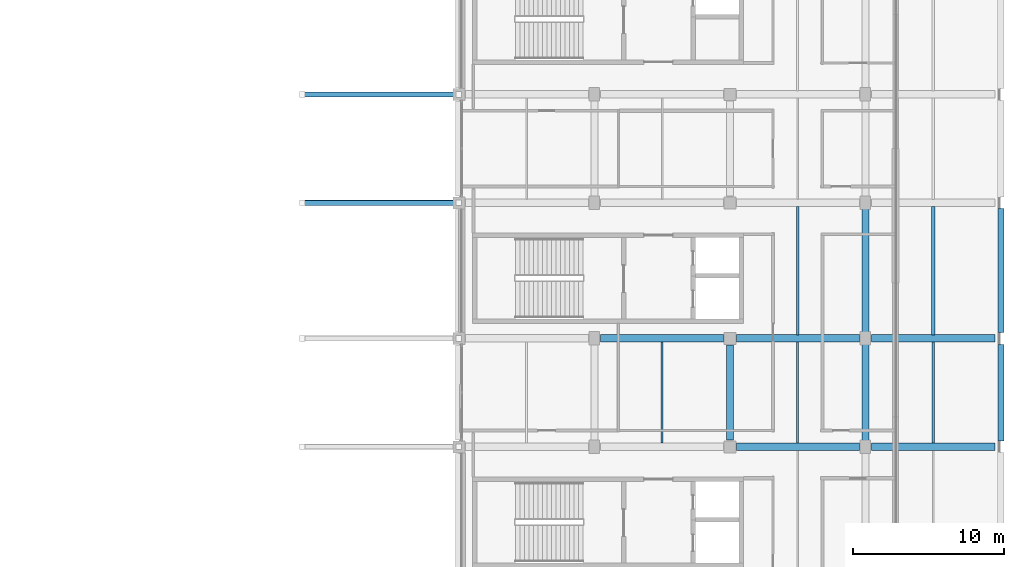
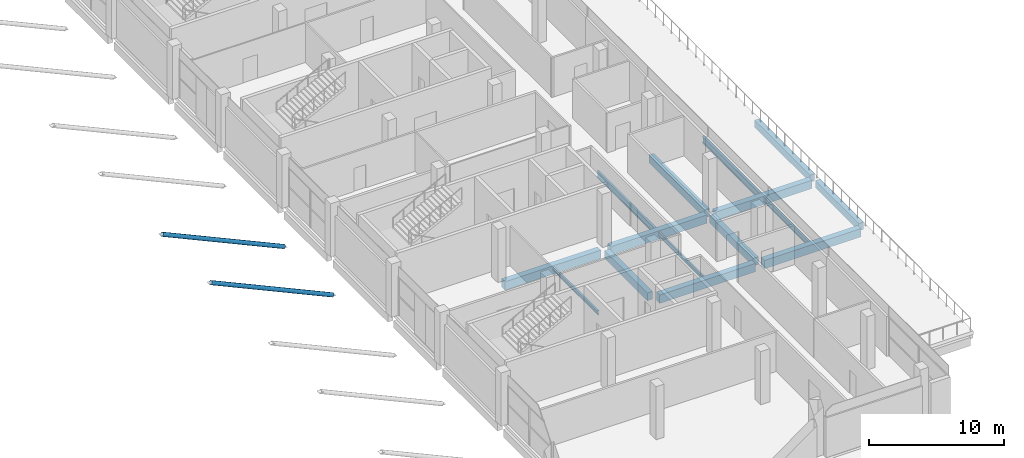
# One storey, part 27 of 82: 15 beams, 2 members.
"""IFC4 building model written with IfcOpenShell, lengths in metres."""

from ifc_helpers import new_model, si_unit, direction, frame, origin, origin_2d, place, context, subcontext, project, spatial, rectangle, hollow_circle, i_section, extrude, material, material_profile, profile_set, type_object, element, save


model = new_model("IFC4")

# Units and contexts
model_context = context("Model", 3, precision=1e-05, world=origin(), true_north=direction((0.0, 1.0)))
body_context = subcontext(model_context, "Body", "Model", "MODEL_VIEW")
ifc_project = project(units=[si_unit("LENGTHUNIT", "METRE"), si_unit("AREAUNIT", "SQUARE_METRE"), si_unit("VOLUMEUNIT", "CUBIC_METRE"), si_unit("PLANEANGLEUNIT", "RADIAN"), si_unit("MASSUNIT", "GRAM", prefix="KILO"), si_unit("THERMODYNAMICTEMPERATUREUNIT", "KELVIN"), si_unit("POWERUNIT", "WATT")], contexts=[model_context])

# Site, building, storey
site_placement = place(None, origin())
site = spatial("IfcSite", under=ifc_project, at=site_placement, CompositionType="ELEMENT")
building_placement = place(site_placement, origin())
building = spatial("IfcBuilding", under=site, at=building_placement, Name="Sindhuravela Promenade Stadium", CompositionType="ELEMENT")
storey_placement = place(building_placement, frame((0.0, 0.0, 14.39990234375)))
storey = spatial("IfcBuildingStorey", under=building, at=storey_placement, Name="L03", CompositionType="ELEMENT", Elevation=14.39990234375)

# Beams
ifc_material_1 = material(Name="Concrete M40", Category="concrete")
ifc_material_profile_1 = material_profile(ifc_material_1, rectangle(XDim=0.39990234375, YDim=0.64990234375, at=origin_2d()), Name="RC 400x650")
ifc_profile_set_1 = profile_set([ifc_material_profile_1], Name="Concrete M40")
beam_type_1 = type_object("IfcBeamType", Name="RC-BM-400x650", PredefinedType="SPANDREL", material=ifc_profile_set_1)
beam_1_placement = place(storey_placement, frame((216.0, 61.590087890625, -0.635009765625), z_axis=(0.0, 1.0, 0.0), x_axis=(-1.0, 0.0, 0.0)))
element("IfcBeam", 1, at=beam_1_placement, inside=storey, type_object=beam_type_1, Name="Primary beam SP01 EAST L03", PredefinedType="SPANDREL", context=body_context, shape_type="SweptSolid", body=[
    extrude(rectangle(XDim=0.39990234375, YDim=0.64990234375, at=origin_2d()), origin(), (0.0, 0.0, 1.0), 6.419921875),
])
beam_2_placement = place(storey_placement, frame((216.0, 68.7900390625, -0.635009765625), z_axis=(0.0, 1.0, 0.0), x_axis=(-1.0, 0.0, 0.0)))
element("IfcBeam", 2, at=beam_2_placement, inside=storey, type_object=beam_type_1, Name="Primary beam SP01 EAST L03", PredefinedType="SPANDREL", context=body_context, shape_type="SweptSolid", body=[
    extrude(rectangle(XDim=0.39990234375, YDim=0.64990234375, at=origin_2d()), origin(), (0.0, 0.0, 1.0), 8.219970703125),
])
ifc_material_profile_2 = material_profile(ifc_material_1, rectangle(XDim=0.449951171875, YDim=0.699951171875, at=origin_2d()), Name="RC 450x700")
ifc_profile_set_2 = profile_set([ifc_material_profile_2], Name="Concrete M40")
beam_type_2 = type_object("IfcBeamType", Name="RC-BM-450x700", PredefinedType="BEAM", material=ifc_profile_set_2)
beam_3_placement = place(storey_placement, frame((198.0, 61.639892578125, -0.64990234375), z_axis=(0.0, 1.0, 0.0), x_axis=(-1.0, 0.0, 0.0)))
element("IfcBeam", 3, at=beam_3_placement, inside=storey, type_object=beam_type_2, Name="Primary beam GB07 EAST L03", PredefinedType="BEAM", context=body_context, shape_type="SweptSolid", body=[
    extrude(rectangle(XDim=0.449951171875, YDim=0.699951171875, at=origin_2d()), origin(), (0.0, 0.0, 1.0), 6.320068359375),
])
beam_4_placement = place(storey_placement, frame((207.0, 61.590087890625, -0.64990234375), z_axis=(0.0, 1.0, 0.0), x_axis=(-1.0, 0.0, 0.0)))
element("IfcBeam", 4, at=beam_4_placement, inside=storey, type_object=beam_type_2, Name="Primary beam GB07 EAST L03", PredefinedType="BEAM", context=body_context, shape_type="SweptSolid", body=[
    extrude(rectangle(XDim=0.449951171875, YDim=0.699951171875, at=origin_2d()), origin(), (0.0, 0.0, 1.0), 6.419921875),
])
beam_5_placement = place(storey_placement, frame((207.0, 68.7900390625, -0.64990234375), z_axis=(0.0, 1.0, 0.0), x_axis=(-1.0, 0.0, 0.0)))
element("IfcBeam", 5, at=beam_5_placement, inside=storey, type_object=beam_type_2, Name="Primary beam GB07 EAST L03", PredefinedType="BEAM", context=body_context, shape_type="SweptSolid", body=[
    extrude(rectangle(XDim=0.449951171875, YDim=0.699951171875, at=origin_2d()), origin(), (0.0, 0.0, 1.0), 8.219970703125),
])
ifc_material_profile_3 = material_profile(ifc_material_1, rectangle(XDim=0.5, YDim=0.75, at=origin_2d()), Name="RC 500x750")
ifc_profile_set_3 = profile_set([ifc_material_profile_3], Name="Concrete M40")
beam_type_3 = type_object("IfcBeamType", Name="RC-BM-500x750", PredefinedType="BEAM", material=ifc_profile_set_3)
beam_6_placement = place(storey_placement, frame((198.43994140625, 61.199951171875, -0.6748046875), z_axis=(1.0, 0.0, 0.0), x_axis=(0.0, 1.0, 0.0)))
element("IfcBeam", 6, at=beam_6_placement, inside=storey, type_object=beam_type_3, Name="Primary girder GB06 EAST L03", PredefinedType="BEAM", context=body_context, shape_type="SweptSolid", body=[
    extrude(rectangle(XDim=0.5, YDim=0.75, at=origin_2d()), origin(), (0.0, 0.0, 1.0), 8.170166015625),
])
beam_7_placement = place(storey_placement, frame((207.389892578125, 61.199951171875, -0.684814453125), z_axis=(1.0, 0.0, 0.0), x_axis=(0.0, 1.0, 0.0)))
element("IfcBeam", 7, at=beam_7_placement, inside=storey, type_object=beam_type_3, Name="Primary girder GB06 EAST L03", PredefinedType="BEAM", context=body_context, shape_type="SweptSolid", body=[
    extrude(rectangle(XDim=0.5, YDim=0.75, at=origin_2d()), origin(), (0.0, 0.0, 1.0), 8.22021484375),
])
for number, where, z_axis, x_axis, name in (
    (8, (189.389892578125, 68.39990234375, -0.6748046875), (1.0, 0.0, 0.0), (0.0, 1.0, 0.0), "Primary girder GB06 EAST L03"),
    (9, (198.43994140625, 68.39990234375, -0.6748046875), (1.0, 0.0, 0.0), (0.0, 1.0, 0.0), "Primary girder GB06 EAST L03"),
):
    element("IfcBeam", number, at=place(storey_placement, frame(where, z_axis=z_axis, x_axis=x_axis)), inside=storey, type_object=beam_type_3, Name=name, PredefinedType="BEAM", context=body_context, shape_type="SweptSolid", body=[
        extrude(rectangle(XDim=0.5, YDim=0.75, at=origin_2d()), origin(), (0.0, 0.0, 1.0), 8.170166015625),
    ])
beam_8_placement = place(storey_placement, frame((207.389892578125, 68.39990234375, -0.684814453125), z_axis=(1.0, 0.0, 0.0), x_axis=(0.0, 1.0, 0.0)))
element("IfcBeam", 10, at=beam_8_placement, inside=storey, type_object=beam_type_3, Name="Primary girder GB06 EAST L03", PredefinedType="BEAM", context=body_context, shape_type="SweptSolid", body=[
    extrude(rectangle(XDim=0.5, YDim=0.75, at=origin_2d()), origin(), (0.0, 0.0, 1.0), 8.22021484375),
])
ifc_material_2 = material(Name="Steel E350 (IS 2062 E350BR)", Category="steel")
ifc_material_profile_4 = material_profile(ifc_material_2, i_section(OverallWidth=0.139892578125, OverallDepth=0.35009765625, WebThickness=0.008056640625, FlangeThickness=0.01416015625, FilletRadius=0.013916015625, at=origin_2d()), Name="ISMB 350")
ifc_profile_set_4 = profile_set([ifc_material_profile_4], Name="Steel E350 (IS 2062 E350BR)")
beam_type_4 = type_object("IfcBeamType", Name="ST-BM-MB350", PredefinedType="JOIST", material=ifc_profile_set_4)
beam_9_placement = place(storey_placement, frame((193.5, 61.43994140625, -0.474853515625), z_axis=(0.0, 1.0, 0.0), x_axis=(-1.0, 0.0, 0.0)))
element("IfcBeam", 11, at=beam_9_placement, inside=storey, type_object=beam_type_4, Name="Secondary floor joist SB04 EAST L03", PredefinedType="JOIST", context=body_context, shape_type="SweptSolid", body=[
    extrude(i_section(OverallWidth=0.139892578125, OverallDepth=0.35009765625, WebThickness=0.008056640625, FlangeThickness=0.01416015625, FilletRadius=0.013916015625, at=origin_2d()), origin(), (0.0, 0.0, 1.0), 6.719970703125),
])
ifc_material_profile_5 = material_profile(ifc_material_2, i_section(OverallWidth=0.139892578125, OverallDepth=0.39990234375, WebThickness=0.0087890625, FlangeThickness=0.01611328125, FilletRadius=0.013916015625, at=origin_2d()), Name="ISMB 400")
ifc_profile_set_5 = profile_set([ifc_material_profile_5], Name="Steel E350 (IS 2062 E350BR)")
beam_type_5 = type_object("IfcBeamType", Name="ST-BM-MB400", PredefinedType="BEAM", material=ifc_profile_set_5)
beam_10_placement = place(storey_placement, frame((202.5, 61.43994140625, -0.5), z_axis=(0.0, 1.0, 0.0), x_axis=(-1.0, 0.0, 0.0)))
element("IfcBeam", 12, at=beam_10_placement, inside=storey, type_object=beam_type_5, Name="Secondary floor joist SB05 EAST L03", PredefinedType="BEAM", context=body_context, shape_type="SweptSolid", body=[
    extrude(i_section(OverallWidth=0.139892578125, OverallDepth=0.39990234375, WebThickness=0.0087890625, FlangeThickness=0.01611328125, FilletRadius=0.013916015625, at=origin_2d()), origin(), (0.0, 0.0, 1.0), 6.719970703125),
])
ifc_material_profile_6 = material_profile(ifc_material_2, i_section(OverallWidth=0.14990234375, OverallDepth=0.449951171875, WebThickness=0.009521484375, FlangeThickness=0.017333984375, FilletRadius=0.014892578125, at=origin_2d()), Name="ISMB 450")
ifc_profile_set_6 = profile_set([ifc_material_profile_6], Name="Steel E350 (IS 2062 E350BR)")
beam_type_6 = type_object("IfcBeamType", Name="ST-BM-MB450", PredefinedType="BEAM", material=ifc_profile_set_6)
beam_11_placement = place(storey_placement, frame((211.5, 61.43994140625, -0.534912109375), z_axis=(0.0, 1.0, 0.0), x_axis=(-1.0, 0.0, 0.0)))
element("IfcBeam", 13, at=beam_11_placement, inside=storey, type_object=beam_type_6, Name="Secondary floor joist SB06 EAST L03", PredefinedType="BEAM", context=body_context, shape_type="SweptSolid", body=[
    extrude(i_section(OverallWidth=0.14990234375, OverallDepth=0.449951171875, WebThickness=0.009521484375, FlangeThickness=0.017333984375, FilletRadius=0.014892578125, at=origin_2d()), origin(), (0.0, 0.0, 1.0), 6.719970703125),
])
ifc_material_profile_7 = material_profile(ifc_material_2, i_section(OverallWidth=0.18994140625, OverallDepth=0.550048828125, WebThickness=0.01123046875, FlangeThickness=0.019287109375, FilletRadius=0.01806640625, at=origin_2d()), Name="ISMB 550")
ifc_profile_set_7 = profile_set([ifc_material_profile_7], Name="Steel E350 (IS 2062 E350BR)")
beam_type_7 = type_object("IfcBeamType", Name="ST-BM-MB550", PredefinedType="SPANDREL", material=ifc_profile_set_7)
beam_12_placement = place(storey_placement, frame((202.5, 68.639892578125, -0.574951171875), z_axis=(0.0, 1.0, 0.0), x_axis=(-1.0, 0.0, 0.0)))
element("IfcBeam", 14, at=beam_12_placement, inside=storey, type_object=beam_type_7, Name="Secondary floor joist SB08 EAST L03", PredefinedType="SPANDREL", context=body_context, shape_type="SweptSolid", body=[
    extrude(i_section(OverallWidth=0.18994140625, OverallDepth=0.550048828125, WebThickness=0.01123046875, FlangeThickness=0.019287109375, FilletRadius=0.01806640625, at=origin_2d()), origin(), (0.0, 0.0, 1.0), 8.52001953125),
])
ifc_material_profile_8 = material_profile(ifc_material_2, i_section(OverallWidth=0.2099609375, OverallDepth=0.60009765625, WebThickness=0.011962890625, FlangeThickness=0.020751953125, FilletRadius=0.02001953125, at=origin_2d()), Name="ISMB 600")
ifc_profile_set_8 = profile_set([ifc_material_profile_8], Name="Steel E350 (IS 2062 E350BR)")
beam_type_8 = type_object("IfcBeamType", Name="ST-BM-MB600", PredefinedType="BEAM", material=ifc_profile_set_8)
beam_13_placement = place(storey_placement, frame((211.5, 68.639892578125, -0.60986328125), z_axis=(0.0, 1.0, 0.0), x_axis=(-1.0, 0.0, 0.0)))
element("IfcBeam", 15, at=beam_13_placement, inside=storey, type_object=beam_type_8, Name="Secondary floor joist SB09 EAST L03", PredefinedType="BEAM", context=body_context, shape_type="SweptSolid", body=[
    extrude(i_section(OverallWidth=0.2099609375, OverallDepth=0.60009765625, WebThickness=0.011962890625, FlangeThickness=0.020751953125, FilletRadius=0.02001953125, at=origin_2d()), origin(), (0.0, 0.0, 1.0), 8.52001953125),
])

# Members
ifc_material_profile_9 = material_profile(ifc_material_2, hollow_circle(Radius=0.177734375, WallThickness=0.011962890625, at=origin_2d()), Name="CHS 355.6x12")
ifc_profile_set_9 = profile_set([ifc_material_profile_9], Name="Steel E350 (IS 2062 E350BR)")
member_type = type_object("IfcMemberType", Name="ST-MB-CHS356", PredefinedType="STRUT", material=ifc_profile_set_9)
for number, where, z_axis, x_axis, name in (
    (16, (180.0, 77.39990234375, -3.7998046875), (-0.9096146847750655, 0.0, 0.41545291579378546), (0.0, -1.0, 0.0), "Upper raker prop strut MS02 STRUT-T2-E-060"),
    (17, (180.0, 84.60009765625, -3.7998046875), (-0.9096146847750655, 0.0, 0.41545291579378546), (0.0, -1.0, 0.0), "Upper raker prop strut MS02 STRUT-T2-E-062"),
):
    element("IfcMember", number, at=place(storey_placement, frame(where, z_axis=z_axis, x_axis=x_axis)), inside=storey, type_object=member_type, Name=name, PredefinedType="STRUT", context=body_context, shape_type="SweptSolid", body=[
        extrude(hollow_circle(Radius=0.177734375, WallThickness=0.011962890625, at=origin_2d()), origin(), (0.0, 0.0, 1.0), 11.433349609375),
    ])

save(model, "model.ifc")
